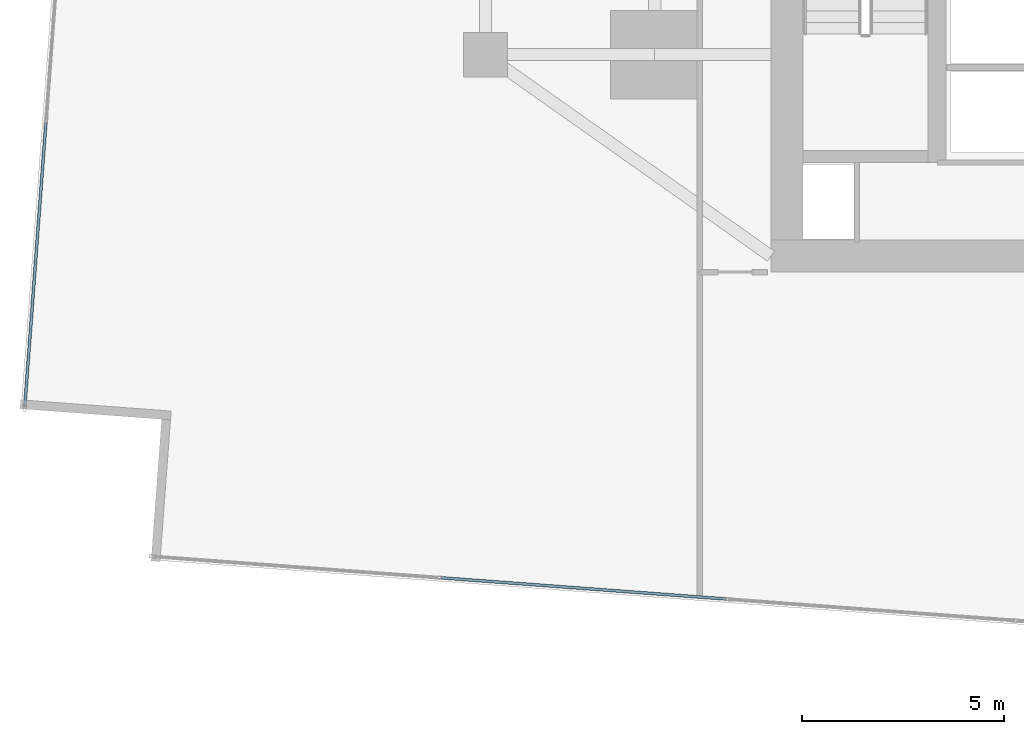
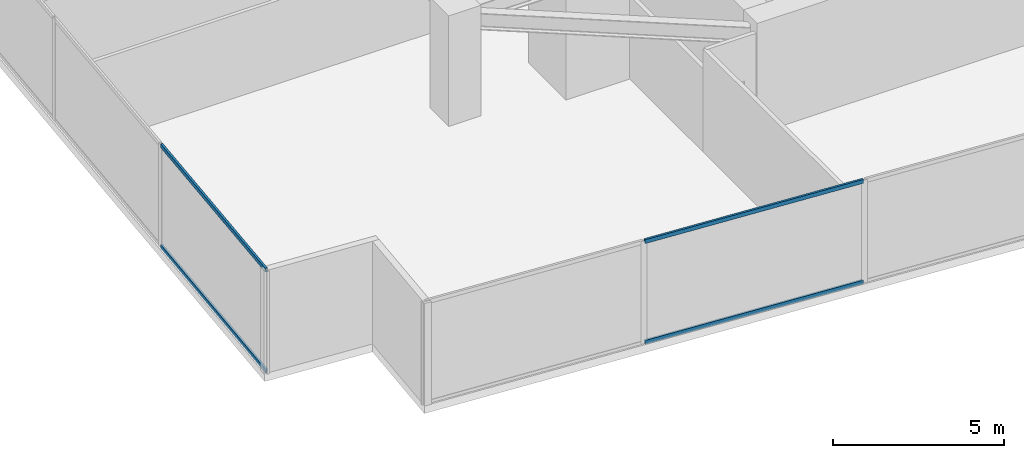
# One storey, part 3 of 30: 4 members, 2 elements without a shape of their own.
"""IFC4 building model written with IfcOpenShell, lengths in metres."""

from ifc_helpers import new_model, si_unit, direction, frame, origin, origin_2d, place, context, subcontext, project, spatial, hollow_rectangle, extrude, source, transform, mapped, material, material_profile, profile_set, type_object, type_shapes, element, aggregate, save


model = new_model("IFC4")

# Units and contexts
model_context = context("Model", 3, precision=1e-05, world=origin(), true_north=direction((0.0, 1.0)))
body_context = subcontext(model_context, "Body", "Model", "MODEL_VIEW")
ifc_project = project(units=[si_unit("LENGTHUNIT", "METRE"), si_unit("AREAUNIT", "SQUARE_METRE"), si_unit("VOLUMEUNIT", "CUBIC_METRE"), si_unit("PLANEANGLEUNIT", "RADIAN"), si_unit("MASSUNIT", "GRAM", prefix="KILO")], contexts=[model_context])

# Site, building, storey
site_placement = place(None, origin())
site = spatial("IfcSite", under=ifc_project, at=site_placement, CompositionType="ELEMENT")
building_placement = place(site_placement, origin())
building = spatial("IfcBuilding", under=site, at=building_placement, Name="Krantzveldt Concourse Tower", CompositionType="ELEMENT")
storey_placement = place(building_placement, frame((0.0, 0.0, 52.64990234375)))
storey = spatial("IfcBuildingStorey", under=building, at=storey_placement, Name="L12", CompositionType="ELEMENT", Elevation=52.64990234375)

# Curtain wall, members
ifc_material = material(Name="Anodised aluminium 6063-T6", Category="aluminium")
curtain_wall_type = type_object("IfcCurtainWallType", Name="CW2", PredefinedType="USERDEFINED", material=ifc_material)
curtain_wall_1_placement = place(storey_placement, origin())
curtain_wall_1 = element("IfcCurtainWall", 1, at=curtain_wall_1_placement, inside=storey, type_object=curtain_wall_type, Name="CW-L12-F04", ObjectType="UNITISED CURTAIN WALL", PredefinedType="USERDEFINED")
ifc_material_profile = material_profile(ifc_material, hollow_rectangle(XDim=0.070068359375, YDim=0.139892578125, WallThickness=0.0048828125, at=origin_2d()), Name="Anodised aluminium 6063-T6", Category="aluminium")
ifc_profile_set = profile_set([ifc_material_profile], Name="Anodised aluminium 6063-T6 - ALU-TRAN 140x70x5")
member_type = type_object("IfcMemberType", Name="CW-TRN-150", PredefinedType="USERDEFINED", material=ifc_profile_set)
shared_shape_1 = source(origin(), body_context, "Body", "SweptSolid", [
    extrude(hollow_rectangle(XDim=0.070068359375, YDim=0.139892578125, WallThickness=0.0048828125, at=origin_2d()), origin(), (0.0, 0.0, 1.0), 7.0966796875),
])
member_1_placement = place(storey_placement, frame((19.89501953125, 2.918212890625, 0.03515625), z_axis=(0.997248101174, -0.074136527461, 0.0), x_axis=(0.074136527461, 0.997248101174, 0.0)))
member_1 = element("IfcMember", 2, at=member_1_placement, type_object=member_type, Name="CW-Z12 transom 2.1", ObjectType="TRANSOM", PredefinedType="USERDEFINED", context=body_context, shape_type="MappedRepresentation", body=[
    mapped(shared_shape_1, transform((0.0, 0.0, 0.0), x_axis=(1.0, 0.0, 0.0), y_axis=(0.0, 1.0, 0.0), z_axis=(0.0, 0.0, 1.0), scale=1.0)),
])
member_2_placement = place(storey_placement, frame((19.89501953125, 2.918212890625, 3.635009765625), z_axis=(0.997248101174, -0.074136527461, 0.0), x_axis=(0.074136527461, 0.997248101174, 0.0)))
member_2 = element("IfcMember", 3, at=member_2_placement, type_object=member_type, Name="CW-Z12 transom 2.2", ObjectType="TRANSOM", PredefinedType="USERDEFINED", context=body_context, shape_type="MappedRepresentation", body=[
    mapped(shared_shape_1, transform((0.0, 0.0, 0.0), x_axis=(1.0, 0.0, 0.0), y_axis=(0.0, 1.0, 0.0), z_axis=(0.0, 0.0, 1.0), scale=1.0)),
])
aggregate(curtain_wall_1, [member_1, member_2])

curtain_wall_2_placement = place(storey_placement, origin())
curtain_wall_2 = element("IfcCurtainWall", 4, at=curtain_wall_2_placement, inside=storey, type_object=curtain_wall_type, Name="CW-L12-F01", ObjectType="UNITISED CURTAIN WALL", PredefinedType="USERDEFINED")
shared_shape_2 = source(origin(), body_context, "Body", "SweptSolid", [
    extrude(hollow_rectangle(XDim=0.070068359375, YDim=0.139892578125, WallThickness=0.0048828125, at=origin_2d()), origin(), (0.0, 0.0, 1.0), 7.061767578125),
])
type_shapes(member_type, [shared_shape_1, shared_shape_2])
member_3_placement = place(storey_placement, frame((10.09375, 14.21728515625, 0.03515625), z_axis=(-0.074123832627, -0.997249044841, 0.0), x_axis=(0.997249044841, -0.074123832627, 0.0)))
member_3 = element("IfcMember", 5, at=member_3_placement, type_object=member_type, Name="CW-Z12 transom 6.1", ObjectType="TRANSOM", PredefinedType="USERDEFINED", context=body_context, shape_type="MappedRepresentation", body=[
    mapped(shared_shape_2, transform((0.0, 0.0, 0.0), x_axis=(1.0, 0.0, 0.0), y_axis=(0.0, 1.0, 0.0), z_axis=(0.0, 0.0, 1.0), scale=1.0)),
])
member_4_placement = place(storey_placement, frame((10.09375, 14.21728515625, 3.635009765625), z_axis=(-0.074123832627, -0.997249044841, 0.0), x_axis=(0.997249044841, -0.074123832627, 0.0)))
member_4 = element("IfcMember", 6, at=member_4_placement, type_object=member_type, Name="CW-Z12 transom 6.2", ObjectType="TRANSOM", PredefinedType="USERDEFINED", context=body_context, shape_type="MappedRepresentation", body=[
    mapped(shared_shape_2, transform((0.0, 0.0, 0.0), x_axis=(1.0, 0.0, 0.0), y_axis=(0.0, 1.0, 0.0), z_axis=(0.0, 0.0, 1.0), scale=1.0)),
])
aggregate(curtain_wall_2, [member_3, member_4])

save(model, "model.ifc")
